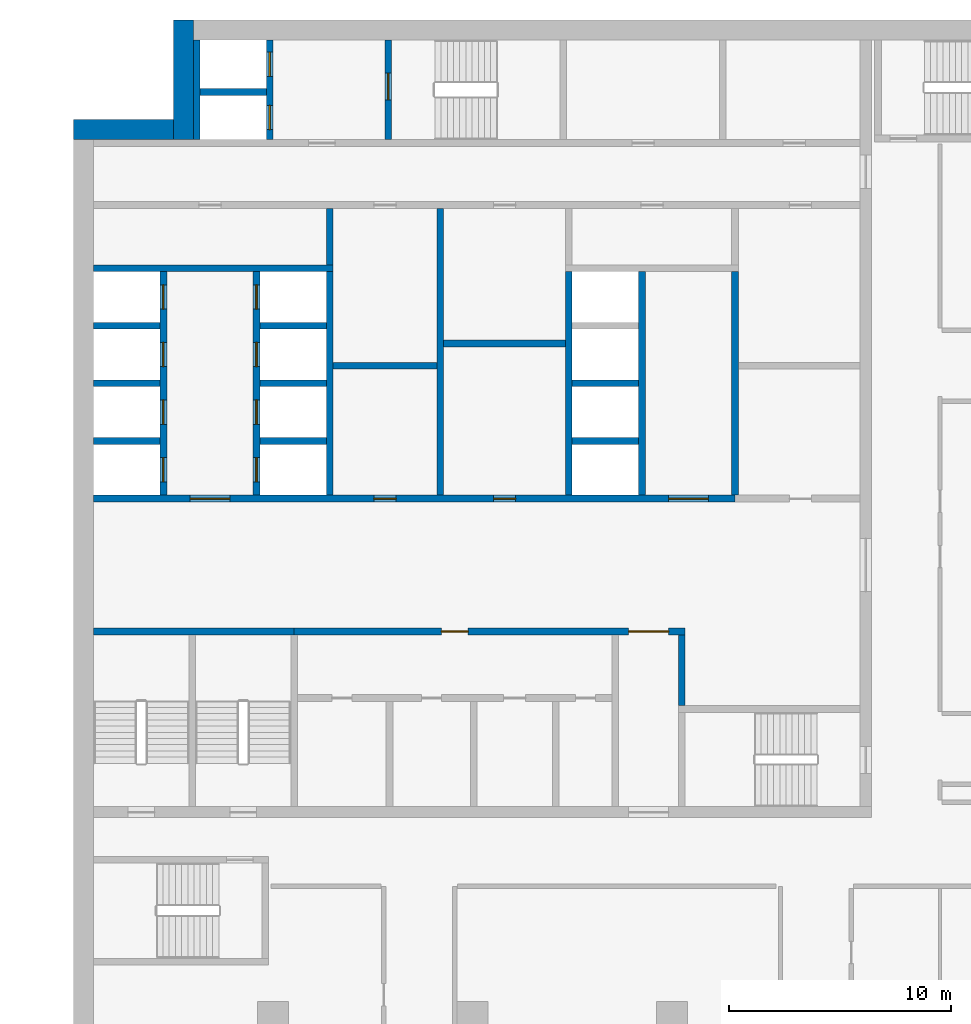
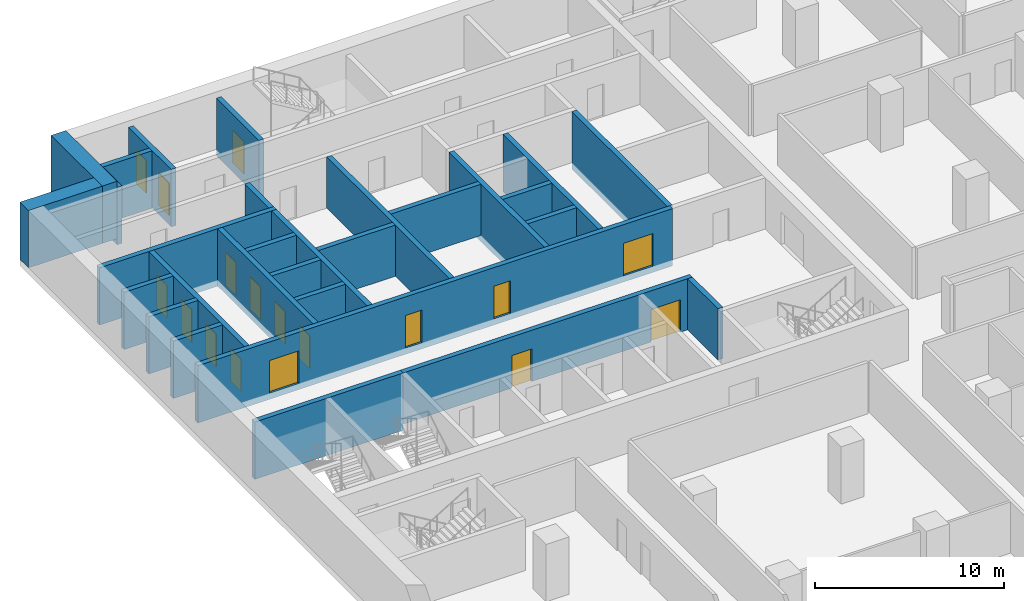
# One storey, part 14 of 28: 29 walls, 17 doors, 17 openings.
"""IFC4 building model written with IfcOpenShell, lengths in metres."""

from ifc_helpers import new_model, si_unit, direction, frame, frame_2d, origin, place, context, subcontext, project, spatial, rectangle, extrude, material, layer, layer_set, type_object, element, fill, save


model = new_model("IFC4")

# Units and contexts
model_context = context("Model", 3, precision=1e-05, world=origin(), true_north=direction((0.0, 1.0)))
body_context = subcontext(model_context, "Body", "Model", "MODEL_VIEW")
ifc_project = project(units=[si_unit("LENGTHUNIT", "METRE"), si_unit("AREAUNIT", "SQUARE_METRE"), si_unit("VOLUMEUNIT", "CUBIC_METRE"), si_unit("PLANEANGLEUNIT", "RADIAN"), si_unit("MASSUNIT", "GRAM", prefix="KILO")], contexts=[model_context])

# Site, building, storey
site_placement = place(None, origin())
site = spatial("IfcSite", under=ifc_project, at=site_placement, CompositionType="ELEMENT")
building_placement = place(site_placement, origin())
building = spatial("IfcBuilding", under=site, at=building_placement, Name="Hunhe Ridgeline Campus", CompositionType="ELEMENT")
storey_placement = place(building_placement, frame((0.0, 0.0, 39.5)))
storey = spatial("IfcBuildingStorey", under=building, at=storey_placement, Name="L08", CompositionType="ELEMENT", Elevation=39.5)

# Wall, openings, doors
ifc_material_1 = material(Name="Masonry concrete blockwork", Category="masonry")
ifc_layer_1 = layer(ifc_material_1, 0.300048828125)
ifc_layer_set_1 = layer_set([ifc_layer_1], Name="Core room partition 300 concrete block")
wall_type_1 = type_object("IfcWallType", Name="Core room partition 300 concrete block", PredefinedType="PARTITIONING", material=ifc_layer_set_1)
wall_1_placement = place(storey_placement, frame((9.949951171875, 71.39990234375, 0.0), z_axis=(0.0, 0.0, 1.0), x_axis=(1.0, 0.0, 0.0)))
wall_1 = element("IfcWall", 1, at=wall_1_placement, inside=storey, type_object=wall_type_1, Name="L08 core partition 13", PredefinedType="PARTITIONING", context=body_context, shape_type="SweptSolid", body=[
    extrude(rectangle(XDim=17.650146484375, YDim=0.300048828125, at=frame_2d((8.8251953125, 0.0))), origin(), (0.0, 0.0, 1.0), 3.300048828125),
])
opening_1_placement = place(wall_1_placement, frame((15.10009765625, 0.0, 0.0)))
opening_1 = element("IfcOpeningElement", 2, at=opening_1_placement, cuts=wall_1, Name="Opening CD7", PredefinedType="OPENING", context=body_context, shape_type="SweptSolid", body=[
    extrude(rectangle(XDim=1.800048828125, YDim=2.10009765625, at=frame_2d((0.89990234375, 1.050048828125))), frame((0.0, 0.14990234375, 0.0), z_axis=(0.0, -1.0, 0.0), x_axis=(1.0, 0.0, 0.0)), (0.0, 0.0, 1.0), 0.300048828125),
])
opening_2_placement = place(wall_1_placement, frame((6.64990234375, 0.0, 0.0)))
opening_2 = element("IfcOpeningElement", 3, at=opening_2_placement, cuts=wall_1, Name="Opening CD37", PredefinedType="OPENING", context=body_context, shape_type="SweptSolid", body=[
    extrude(rectangle(XDim=1.199951171875, YDim=2.10009765625, at=frame_2d((0.60009765625, 1.050048828125))), frame((0.0, 0.14990234375, 0.0), z_axis=(0.0, -1.0, 0.0), x_axis=(1.0, 0.0, 0.0)), (0.0, 0.0, 1.0), 0.300048828125),
])
ifc_material_2 = material(Name="Anodised aluminium and glass", Category="aluminium")
door_type_1 = type_object("IfcDoorType", Name="Glazed double door 1800x2100", OperationType="DOUBLE_DOOR_SINGLE_SWING", PredefinedType="DOOR", material=ifc_material_2)
door_1_placement = place(opening_1_placement, origin())
door_1 = element("IfcDoor", 4, at=door_1_placement, inside=storey, type_object=door_type_1, Name="L08 door VEST-HALL", OperationType="DOUBLE_DOOR_SINGLE_SWING", OverallHeight=2.10009765625, OverallWidth=1.800048828125, PredefinedType="DOOR", context=body_context, shape_type="SweptSolid", body=[
    extrude(rectangle(XDim=1.800048828125, YDim=2.10009765625, at=frame_2d((0.89990234375, 1.050048828125))), frame((0.0, 0.02490234375, 0.0), z_axis=(0.0, -1.0, 0.0), x_axis=(1.0, 0.0, 0.0)), (0.0, 0.0, 1.0), 0.050048828125),
])
fill(opening_1, door_1)
ifc_material_3 = material(Name="Solid core timber door leaf", Category="wood")
door_type_2 = type_object("IfcDoorType", Name="Timber door 1200x2100", OperationType="SINGLE_SWING_LEFT", PredefinedType="DOOR", material=ifc_material_3)
door_2_placement = place(opening_2_placement, origin())
door_2 = element("IfcDoor", 5, at=door_2_placement, inside=storey, type_object=door_type_2, Name="L08 door WCL1-HALL", OperationType="SINGLE_SWING_LEFT", OverallHeight=2.10009765625, OverallWidth=1.199951171875, PredefinedType="DOOR", context=body_context, shape_type="SweptSolid", body=[
    extrude(rectangle(XDim=1.199951171875, YDim=2.10009765625, at=frame_2d((0.60009765625, 1.050048828125))), frame((0.0, 0.02490234375, 0.0), z_axis=(0.0, -1.0, 0.0), x_axis=(1.0, 0.0, 0.0)), (0.0, 0.0, 1.0), 0.050048828125),
])
fill(opening_2, door_2)

# Walls
wall_2_placement = place(storey_placement, frame((11.699951171875, 83.39990234375, 0.0), z_axis=(0.0, 0.0, 1.0), x_axis=(1.0, 0.0, 0.0)))
element("IfcWall", 6, at=wall_2_placement, inside=storey, type_object=wall_type_1, Name="L08 core partition 22", PredefinedType="PARTITIONING", context=body_context, shape_type="SweptSolid", body=[
    extrude(rectangle(XDim=4.699951171875, YDim=0.300048828125, at=frame_2d((2.35009765625, 0.0))), origin(), (0.0, 0.0, 1.0), 3.300048828125),
])
wall_3_placement = place(storey_placement, frame((16.699951171875, 84.39990234375, 0.0), z_axis=(0.0, 0.0, 1.0), x_axis=(1.0, 0.0, 0.0)))
element("IfcWall", 7, at=wall_3_placement, inside=storey, type_object=wall_type_1, Name="L08 core partition 24", PredefinedType="PARTITIONING", context=body_context, shape_type="SweptSolid", body=[
    extrude(rectangle(XDim=5.5, YDim=0.300048828125, at=frame_2d((2.75, 0.0))), origin(), (0.0, 0.0, 1.0), 3.300048828125),
])
wall_4_placement = place(storey_placement, frame((11.550048828125, 87.949951171875, 0.0), z_axis=(0.0, 0.0, 1.0), x_axis=(0.0, 1.0, 0.0)))
element("IfcWall", 8, at=wall_4_placement, inside=storey, type_object=wall_type_1, Name="L08 core partition 46", PredefinedType="PARTITIONING", context=body_context, shape_type="SweptSolid", body=[
    extrude(rectangle(XDim=2.550048828125, YDim=0.300048828125, at=frame_2d((1.27490234375, 0.0))), origin(), (0.0, 0.0, 1.0), 3.300048828125),
])
wall_5_placement = place(storey_placement, frame((16.550048828125, 77.550048828125, 0.0), z_axis=(0.0, 0.0, 1.0), x_axis=(0.0, 1.0, 0.0)))
element("IfcWall", 9, at=wall_5_placement, inside=storey, type_object=wall_type_1, Name="L08 core partition 49", PredefinedType="PARTITIONING", context=body_context, shape_type="SweptSolid", body=[
    extrude(rectangle(XDim=12.949951171875, YDim=0.300048828125, at=frame_2d((6.47509765625, 0.0))), origin(), (0.0, 0.0, 1.0), 3.300048828125),
])
wall_6_placement = place(storey_placement, frame((27.449951171875, 68.050048828125, 0.0), z_axis=(0.0, 0.0, 1.0), x_axis=(0.0, 1.0, 0.0)))
element("IfcWall", 10, at=wall_6_placement, inside=storey, type_object=wall_type_1, Name="L08 core partition 60", PredefinedType="PARTITIONING", context=body_context, shape_type="SweptSolid", body=[
    extrude(rectangle(XDim=3.199951171875, YDim=0.300048828125, at=frame_2d((1.60009765625, 0.0))), origin(), (0.0, 0.0, 1.0), 3.300048828125),
])
ifc_material_4 = material(Name="Concrete C80", Category="concrete")
ifc_layer_2 = layer(ifc_material_4, 0.300048828125)
ifc_layer_set_2 = layer_set([ifc_layer_2], Name="Lobby wall 300 reinforced concrete C80")
wall_type_2 = type_object("IfcWallType", Name="Lobby wall 300 reinforced concrete C80", PredefinedType="SOLIDWALL", material=ifc_layer_set_2)
wall_7_placement = place(storey_placement, frame((29.85009765625, 77.550048828125, -0.39990234375), z_axis=(0.0, 0.0, 1.0), x_axis=(0.0, 1.0, 0.0)))
element("IfcWall", 11, at=wall_7_placement, inside=storey, type_object=wall_type_2, Name="L08 core wall 62", PredefinedType="SOLIDWALL", context=body_context, shape_type="SweptSolid", body=[
    extrude(rectangle(XDim=10.099853515625, YDim=0.300048828125, at=frame_2d((5.0498046875, 0.0))), origin(), (0.0, 0.0, 1.0), 3.699951171875),
])

# Wall, openings, doors
ifc_layer_3 = layer(ifc_material_4, 0.300048828125)
ifc_layer_set_3 = layer_set([ifc_layer_3], Name="Shaft wall 300 reinforced concrete C80")
wall_type_3 = type_object("IfcWallType", Name="Shaft wall 300 reinforced concrete C80", PredefinedType="SOLIDWALL", material=ifc_layer_set_3)
wall_8_placement = place(storey_placement, frame((0.89990234375, 77.39990234375, -0.39990234375), z_axis=(0.0, 0.0, 1.0), x_axis=(1.0, 0.0, 0.0)))
wall_8 = element("IfcWall", 12, at=wall_8_placement, inside=storey, type_object=wall_type_3, Name="L08 core wall 14", PredefinedType="SOLIDWALL", context=body_context, shape_type="SweptSolid", body=[
    extrude(rectangle(XDim=28.9501953125, YDim=0.300048828125, at=frame_2d((14.47509765625, 0.0))), origin(), (0.0, 0.0, 1.0), 3.699951171875),
])
opening_3_placement = place(wall_8_placement, frame((4.35009765625, 0.0, 0.39990234375)))
opening_3 = element("IfcOpeningElement", 13, at=opening_3_placement, cuts=wall_8, Name="Opening CD1", PredefinedType="OPENING", context=body_context, shape_type="SweptSolid", body=[
    extrude(rectangle(XDim=1.800048828125, YDim=2.10009765625, at=frame_2d((0.89990234375, 1.050048828125))), frame((0.0, 0.14990234375, 0.0), z_axis=(0.0, -1.0, 0.0), x_axis=(1.0, 0.0, 0.0)), (0.0, 0.0, 1.0), 0.300048828125),
])
opening_4_placement = place(wall_8_placement, frame((25.949951171875, 0.0, 0.39990234375)))
opening_4 = element("IfcOpeningElement", 14, at=opening_4_placement, cuts=wall_8, Name="Opening CD2", PredefinedType="OPENING", context=body_context, shape_type="SweptSolid", body=[
    extrude(rectangle(XDim=1.800048828125, YDim=2.10009765625, at=frame_2d((0.89990234375, 1.050048828125))), frame((0.0, 0.14990234375, 0.0), z_axis=(0.0, -1.0, 0.0), x_axis=(1.0, 0.0, 0.0)), (0.0, 0.0, 1.0), 0.300048828125),
])
opening_5_placement = place(wall_8_placement, frame((12.64990234375, 0.0, 0.39990234375)))
opening_5 = element("IfcOpeningElement", 15, at=opening_5_placement, cuts=wall_8, Name="Opening CD28", PredefinedType="OPENING", context=body_context, shape_type="SweptSolid", body=[
    extrude(rectangle(XDim=1.0, YDim=2.10009765625, at=frame_2d((0.5, 1.050048828125))), frame((0.0, 0.14990234375, 0.0), z_axis=(0.0, -1.0, 0.0), x_axis=(1.0, 0.0, 0.0)), (0.0, 0.0, 1.0), 0.300048828125),
])
opening_6_placement = place(wall_8_placement, frame((18.050048828125, 0.0, 0.39990234375)))
opening_6 = element("IfcOpeningElement", 16, at=opening_6_placement, cuts=wall_8, Name="Opening CD30", PredefinedType="OPENING", context=body_context, shape_type="SweptSolid", body=[
    extrude(rectangle(XDim=1.0, YDim=2.10009765625, at=frame_2d((0.5, 1.050048828125))), frame((0.0, 0.14990234375, 0.0), z_axis=(0.0, -1.0, 0.0), x_axis=(1.0, 0.0, 0.0)), (0.0, 0.0, 1.0), 0.300048828125),
])
ifc_material_5 = material(Name="Hollow metal fire door leaf")
door_type_3 = type_object("IfcDoorType", Name="Lobby door 1800x2100 FD60", OperationType="SINGLE_SWING_LEFT", PredefinedType="DOOR", material=ifc_material_5)
door_3_placement = place(opening_3_placement, frame((1.800048828125, 0.0, 0.0), z_axis=(0.0, 0.0, 1.0), x_axis=(-1.0, 0.0, 0.0)))
door_3 = element("IfcDoor", 17, at=door_3_placement, inside=storey, type_object=door_type_3, Name="L08 door LOB-LR", OperationType="SINGLE_SWING_RIGHT", OverallHeight=2.10009765625, OverallWidth=1.800048828125, PredefinedType="DOOR", context=body_context, shape_type="SweptSolid", body=[
    extrude(rectangle(XDim=1.800048828125, YDim=2.10009765625, at=frame_2d((0.89990234375, 1.050048828125))), frame((0.0, 0.02490234375, 0.0), z_axis=(0.0, -1.0, 0.0), x_axis=(1.0, 0.0, 0.0)), (0.0, 0.0, 1.0), 0.050048828125),
])
fill(opening_3, door_3)
door_4_placement = place(opening_4_placement, frame((1.800048828125, 0.0, 0.0), z_axis=(0.0, 0.0, 1.0), x_axis=(-1.0, 0.0, 0.0)))
door_4 = element("IfcDoor", 18, at=door_4_placement, inside=storey, type_object=door_type_3, Name="L08 door LOB-SH", OperationType="SINGLE_SWING_LEFT", OverallHeight=2.10009765625, OverallWidth=1.800048828125, PredefinedType="DOOR", context=body_context, shape_type="SweptSolid", body=[
    extrude(rectangle(XDim=1.800048828125, YDim=2.10009765625, at=frame_2d((0.89990234375, 1.050048828125))), frame((0.0, 0.02490234375, 0.0), z_axis=(0.0, -1.0, 0.0), x_axis=(1.0, 0.0, 0.0)), (0.0, 0.0, 1.0), 0.050048828125),
])
fill(opening_4, door_4)
door_type_4 = type_object("IfcDoorType", Name="Timber door 1000x2100", OperationType="SINGLE_SWING_LEFT", PredefinedType="DOOR", material=ifc_material_3)
door_5_placement = place(opening_5_placement, origin())
door_5 = element("IfcDoor", 19, at=door_5_placement, inside=storey, type_object=door_type_4, Name="L08 door VD-HR0", OperationType="SINGLE_SWING_LEFT", OverallHeight=2.10009765625, OverallWidth=1.0, PredefinedType="DOOR", context=body_context, shape_type="SweptSolid", body=[
    extrude(rectangle(XDim=1.0, YDim=2.10009765625, at=frame_2d((0.5, 1.050048828125))), frame((0.0, 0.02490234375, 0.0), z_axis=(0.0, -1.0, 0.0), x_axis=(1.0, 0.0, 0.0)), (0.0, 0.0, 1.0), 0.050048828125),
])
fill(opening_5, door_5)
door_6_placement = place(opening_6_placement, origin())
door_6 = element("IfcDoor", 20, at=door_6_placement, inside=storey, type_object=door_type_4, Name="L08 door VD-HR2", OperationType="SINGLE_SWING_LEFT", OverallHeight=2.10009765625, OverallWidth=1.0, PredefinedType="DOOR", context=body_context, shape_type="SweptSolid", body=[
    extrude(rectangle(XDim=1.0, YDim=2.10009765625, at=frame_2d((0.5, 1.050048828125))), frame((0.0, 0.02490234375, 0.0), z_axis=(0.0, -1.0, 0.0), x_axis=(1.0, 0.0, 0.0)), (0.0, 0.0, 1.0), 0.050048828125),
])
fill(opening_6, door_6)

# Walls
for number, where, z_axis, x_axis, name in (
    (21, (0.89990234375, 80.0, -0.39990234375), (0.0, 0.0, 1.0), (1.0, 0.0, 0.0), "L08 core wall 16"),
    (22, (8.39990234375, 80.0, -0.39990234375), (0.0, 0.0, 1.0), (1.0, 0.0, 0.0), "L08 core wall 17"),
    (23, (22.5, 80.0, -0.39990234375), (0.0, 0.0, 1.0), (1.0, 0.0, 0.0), "L08 core wall 18"),
    (24, (0.89990234375, 82.60009765625, -0.39990234375), (0.0, 0.0, 1.0), (1.0, 0.0, 0.0), "L08 core wall 19"),
    (25, (8.39990234375, 82.60009765625, -0.39990234375), (0.0, 0.0, 1.0), (1.0, 0.0, 0.0), "L08 core wall 20"),
    (26, (22.5, 82.60009765625, -0.39990234375), (0.0, 0.0, 1.0), (1.0, 0.0, 0.0), "L08 core wall 21"),
    (27, (0.89990234375, 85.199951171875, -0.39990234375), (0.0, 0.0, 1.0), (1.0, 0.0, 0.0), "L08 core wall 25"),
    (28, (8.39990234375, 85.199951171875, -0.39990234375), (0.0, 0.0, 1.0), (1.0, 0.0, 0.0), "L08 core wall 26"),
):
    element("IfcWall", number, at=place(storey_placement, frame(where, z_axis=z_axis, x_axis=x_axis)), inside=storey, type_object=wall_type_3, Name=name, PredefinedType="SOLIDWALL", context=body_context, shape_type="SweptSolid", body=[
        extrude(rectangle(XDim=3.0, YDim=0.300048828125, at=frame_2d((1.5, 0.0))), origin(), (0.0, 0.0, 1.0), 3.699951171875),
    ])
wall_9_placement = place(storey_placement, frame((0.89990234375, 87.800048828125, -0.39990234375), z_axis=(0.0, 0.0, 1.0), x_axis=(1.0, 0.0, 0.0)))
element("IfcWall", 29, at=wall_9_placement, inside=storey, type_object=wall_type_3, Name="L08 core wall 28", PredefinedType="SOLIDWALL", context=body_context, shape_type="SweptSolid", body=[
    extrude(rectangle(XDim=10.800048828125, YDim=0.300048828125, at=frame_2d((5.39990234375, 0.0))), origin(), (0.0, 0.0, 1.0), 3.699951171875),
])
wall_10_placement = place(storey_placement, frame((5.699951171875, 95.75, -0.39990234375), z_axis=(0.0, 0.0, 1.0), x_axis=(1.0, 0.0, 0.0)))
element("IfcWall", 30, at=wall_10_placement, inside=storey, type_object=wall_type_3, Name="L08 core wall 36", PredefinedType="SOLIDWALL", context=body_context, shape_type="SweptSolid", body=[
    extrude(rectangle(XDim=3.0, YDim=0.300048828125, at=frame_2d((1.5, 0.0))), origin(), (0.0, 0.0, 1.0), 3.699951171875),
])

# Wall, openings, doors
wall_11_placement = place(storey_placement, frame((4.050048828125, 77.550048828125, -0.39990234375), z_axis=(0.0, 0.0, 1.0), x_axis=(0.0, 1.0, 0.0)))
wall_11 = element("IfcWall", 31, at=wall_11_placement, inside=storey, type_object=wall_type_3, Name="L08 core wall 37", PredefinedType="SOLIDWALL", context=body_context, shape_type="SweptSolid", body=[
    extrude(rectangle(XDim=10.099853515625, YDim=0.300048828125, at=frame_2d((5.0498046875, 0.0))), origin(), (0.0, 0.0, 1.0), 3.699951171875),
])
opening_7_placement = place(wall_11_placement, frame((0.60009765625, 0.0, 0.39990234375)))
opening_7 = element("IfcOpeningElement", 32, at=opening_7_placement, cuts=wall_11, Name="Opening LD-LR1", PredefinedType="OPENING", context=body_context, shape_type="SweptSolid", body=[
    extrude(rectangle(XDim=1.10009765625, YDim=2.10009765625, at=frame_2d((0.550048828125, 1.050048828125))), frame((0.0, 0.14990234375, 0.0), z_axis=(0.0, -1.0, 0.0), x_axis=(1.0, 0.0, 0.0)), (0.0, 0.0, 1.0), 0.300048828125),
])
opening_8_placement = place(wall_11_placement, frame((3.199951171875, 0.0, 0.39990234375)))
opening_8 = element("IfcOpeningElement", 33, at=opening_8_placement, cuts=wall_11, Name="Opening LD-LR2", PredefinedType="OPENING", context=body_context, shape_type="SweptSolid", body=[
    extrude(rectangle(XDim=1.10009765625, YDim=2.10009765625, at=frame_2d((0.550048828125, 1.050048828125))), frame((0.0, 0.14990234375, 0.0), z_axis=(0.0, -1.0, 0.0), x_axis=(1.0, 0.0, 0.0)), (0.0, 0.0, 1.0), 0.300048828125),
])
opening_9_placement = place(wall_11_placement, frame((5.800048828125, 0.0, 0.39990234375)))
opening_9 = element("IfcOpeningElement", 34, at=opening_9_placement, cuts=wall_11, Name="Opening LD-LR3", PredefinedType="OPENING", context=body_context, shape_type="SweptSolid", body=[
    extrude(rectangle(XDim=1.10009765625, YDim=2.10009765625, at=frame_2d((0.550048828125, 1.050048828125))), frame((0.0, 0.14990234375, 0.0), z_axis=(0.0, -1.0, 0.0), x_axis=(1.0, 0.0, 0.0)), (0.0, 0.0, 1.0), 0.300048828125),
])
opening_10_placement = place(wall_11_placement, frame((8.39990234375, 0.0, 0.39990234375)))
opening_10 = element("IfcOpeningElement", 35, at=opening_10_placement, cuts=wall_11, Name="Opening LD-LR4", PredefinedType="OPENING", context=body_context, shape_type="SweptSolid", body=[
    extrude(rectangle(XDim=1.10009765625, YDim=2.10009765625, at=frame_2d((0.550048828125, 1.050048828125))), frame((0.0, 0.14990234375, 0.0), z_axis=(0.0, -1.0, 0.0), x_axis=(1.0, 0.0, 0.0)), (0.0, 0.0, 1.0), 0.300048828125),
])
ifc_material_6 = material(Name="Stainless steel sliding leaves", Category="steel")
door_type_5 = type_object("IfcDoorType", Name="Landing door 1100x2100 FD120", OperationType="SLIDING_TO_LEFT", PredefinedType="DOOR", material=ifc_material_6)
door_7_placement = place(opening_7_placement, origin())
door_7 = element("IfcDoor", 36, at=door_7_placement, inside=storey, type_object=door_type_5, Name="L08 landing door LR1", OperationType="SLIDING_TO_RIGHT", OverallHeight=2.10009765625, OverallWidth=1.10009765625, PredefinedType="DOOR", context=body_context, shape_type="SweptSolid", body=[
    extrude(rectangle(XDim=1.10009765625, YDim=2.10009765625, at=frame_2d((0.550048828125, 1.050048828125))), frame((0.0, 0.02490234375, 0.0), z_axis=(0.0, -1.0, 0.0), x_axis=(1.0, 0.0, 0.0)), (0.0, 0.0, 1.0), 0.050048828125),
])
fill(opening_7, door_7)
door_8_placement = place(opening_8_placement, origin())
door_8 = element("IfcDoor", 37, at=door_8_placement, inside=storey, type_object=door_type_5, Name="L08 landing door LR2", OperationType="SLIDING_TO_LEFT", OverallHeight=2.10009765625, OverallWidth=1.10009765625, PredefinedType="DOOR", context=body_context, shape_type="SweptSolid", body=[
    extrude(rectangle(XDim=1.10009765625, YDim=2.10009765625, at=frame_2d((0.550048828125, 1.050048828125))), frame((0.0, 0.02490234375, 0.0), z_axis=(0.0, -1.0, 0.0), x_axis=(1.0, 0.0, 0.0)), (0.0, 0.0, 1.0), 0.050048828125),
])
fill(opening_8, door_8)
door_9_placement = place(opening_9_placement, origin())
door_9 = element("IfcDoor", 38, at=door_9_placement, inside=storey, type_object=door_type_5, Name="L08 landing door LR3", OperationType="SLIDING_TO_RIGHT", OverallHeight=2.10009765625, OverallWidth=1.10009765625, PredefinedType="DOOR", context=body_context, shape_type="SweptSolid", body=[
    extrude(rectangle(XDim=1.10009765625, YDim=2.10009765625, at=frame_2d((0.550048828125, 1.050048828125))), frame((0.0, 0.02490234375, 0.0), z_axis=(0.0, -1.0, 0.0), x_axis=(1.0, 0.0, 0.0)), (0.0, 0.0, 1.0), 0.050048828125),
])
fill(opening_9, door_9)
door_10_placement = place(opening_10_placement, origin())
door_10 = element("IfcDoor", 39, at=door_10_placement, inside=storey, type_object=door_type_5, Name="L08 landing door LR4", OperationType="SLIDING_TO_LEFT", OverallHeight=2.10009765625, OverallWidth=1.10009765625, PredefinedType="DOOR", context=body_context, shape_type="SweptSolid", body=[
    extrude(rectangle(XDim=1.10009765625, YDim=2.10009765625, at=frame_2d((0.550048828125, 1.050048828125))), frame((0.0, 0.02490234375, 0.0), z_axis=(0.0, -1.0, 0.0), x_axis=(1.0, 0.0, 0.0)), (0.0, 0.0, 1.0), 0.050048828125),
])
fill(opening_10, door_10)

# Wall
wall_12_placement = place(storey_placement, frame((5.550048828125, 93.60009765625, -0.39990234375), z_axis=(0.0, 0.0, 1.0), x_axis=(0.0, 1.0, 0.0)))
element("IfcWall", 40, at=wall_12_placement, inside=storey, type_object=wall_type_3, Name="L08 core wall 39", PredefinedType="SOLIDWALL", context=body_context, shape_type="SweptSolid", body=[
    extrude(rectangle(XDim=4.5, YDim=0.300048828125, at=frame_2d((2.25, 0.0))), origin(), (0.0, 0.0, 1.0), 3.699951171875),
])

# Wall, openings, doors
wall_13_placement = place(storey_placement, frame((8.25, 77.550048828125, -0.39990234375), z_axis=(0.0, 0.0, 1.0), x_axis=(0.0, 1.0, 0.0)))
wall_13 = element("IfcWall", 41, at=wall_13_placement, inside=storey, type_object=wall_type_3, Name="L08 core wall 40", PredefinedType="SOLIDWALL", context=body_context, shape_type="SweptSolid", body=[
    extrude(rectangle(XDim=10.099853515625, YDim=0.300048828125, at=frame_2d((5.0498046875, 0.0))), origin(), (0.0, 0.0, 1.0), 3.699951171875),
])
opening_11_placement = place(wall_13_placement, frame((0.60009765625, 0.0, 0.39990234375)))
opening_11 = element("IfcOpeningElement", 42, at=opening_11_placement, cuts=wall_13, Name="Opening LD-LR5", PredefinedType="OPENING", context=body_context, shape_type="SweptSolid", body=[
    extrude(rectangle(XDim=1.10009765625, YDim=2.10009765625, at=frame_2d((0.550048828125, 1.050048828125))), frame((0.0, 0.14990234375, 0.0), z_axis=(0.0, -1.0, 0.0), x_axis=(1.0, 0.0, 0.0)), (0.0, 0.0, 1.0), 0.300048828125),
])
opening_12_placement = place(wall_13_placement, frame((3.199951171875, 0.0, 0.39990234375)))
opening_12 = element("IfcOpeningElement", 43, at=opening_12_placement, cuts=wall_13, Name="Opening LD-LR6", PredefinedType="OPENING", context=body_context, shape_type="SweptSolid", body=[
    extrude(rectangle(XDim=1.10009765625, YDim=2.10009765625, at=frame_2d((0.550048828125, 1.050048828125))), frame((0.0, 0.14990234375, 0.0), z_axis=(0.0, -1.0, 0.0), x_axis=(1.0, 0.0, 0.0)), (0.0, 0.0, 1.0), 0.300048828125),
])
opening_13_placement = place(wall_13_placement, frame((5.800048828125, 0.0, 0.39990234375)))
opening_13 = element("IfcOpeningElement", 44, at=opening_13_placement, cuts=wall_13, Name="Opening LD-LR7", PredefinedType="OPENING", context=body_context, shape_type="SweptSolid", body=[
    extrude(rectangle(XDim=1.10009765625, YDim=2.10009765625, at=frame_2d((0.550048828125, 1.050048828125))), frame((0.0, 0.14990234375, 0.0), z_axis=(0.0, -1.0, 0.0), x_axis=(1.0, 0.0, 0.0)), (0.0, 0.0, 1.0), 0.300048828125),
])
opening_14_placement = place(wall_13_placement, frame((8.39990234375, 0.0, 0.39990234375)))
opening_14 = element("IfcOpeningElement", 45, at=opening_14_placement, cuts=wall_13, Name="Opening LD-LR8", PredefinedType="OPENING", context=body_context, shape_type="SweptSolid", body=[
    extrude(rectangle(XDim=1.10009765625, YDim=2.10009765625, at=frame_2d((0.550048828125, 1.050048828125))), frame((0.0, 0.14990234375, 0.0), z_axis=(0.0, -1.0, 0.0), x_axis=(1.0, 0.0, 0.0)), (0.0, 0.0, 1.0), 0.300048828125),
])
door_11_placement = place(opening_11_placement, origin())
door_11 = element("IfcDoor", 46, at=door_11_placement, inside=storey, type_object=door_type_5, Name="L08 landing door LR5", OperationType="SLIDING_TO_RIGHT", OverallHeight=2.10009765625, OverallWidth=1.10009765625, PredefinedType="DOOR", context=body_context, shape_type="SweptSolid", body=[
    extrude(rectangle(XDim=1.10009765625, YDim=2.10009765625, at=frame_2d((0.550048828125, 1.050048828125))), frame((0.0, 0.02490234375, 0.0), z_axis=(0.0, -1.0, 0.0), x_axis=(1.0, 0.0, 0.0)), (0.0, 0.0, 1.0), 0.050048828125),
])
fill(opening_11, door_11)
door_12_placement = place(opening_12_placement, origin())
door_12 = element("IfcDoor", 47, at=door_12_placement, inside=storey, type_object=door_type_5, Name="L08 landing door LR6", OperationType="SLIDING_TO_LEFT", OverallHeight=2.10009765625, OverallWidth=1.10009765625, PredefinedType="DOOR", context=body_context, shape_type="SweptSolid", body=[
    extrude(rectangle(XDim=1.10009765625, YDim=2.10009765625, at=frame_2d((0.550048828125, 1.050048828125))), frame((0.0, 0.02490234375, 0.0), z_axis=(0.0, -1.0, 0.0), x_axis=(1.0, 0.0, 0.0)), (0.0, 0.0, 1.0), 0.050048828125),
])
fill(opening_12, door_12)
door_13_placement = place(opening_13_placement, origin())
door_13 = element("IfcDoor", 48, at=door_13_placement, inside=storey, type_object=door_type_5, Name="L08 landing door LR7", OperationType="SLIDING_TO_RIGHT", OverallHeight=2.10009765625, OverallWidth=1.10009765625, PredefinedType="DOOR", context=body_context, shape_type="SweptSolid", body=[
    extrude(rectangle(XDim=1.10009765625, YDim=2.10009765625, at=frame_2d((0.550048828125, 1.050048828125))), frame((0.0, 0.02490234375, 0.0), z_axis=(0.0, -1.0, 0.0), x_axis=(1.0, 0.0, 0.0)), (0.0, 0.0, 1.0), 0.050048828125),
])
fill(opening_13, door_13)
door_14_placement = place(opening_14_placement, origin())
door_14 = element("IfcDoor", 49, at=door_14_placement, inside=storey, type_object=door_type_5, Name="L08 landing door LR8", OperationType="SLIDING_TO_LEFT", OverallHeight=2.10009765625, OverallWidth=1.10009765625, PredefinedType="DOOR", context=body_context, shape_type="SweptSolid", body=[
    extrude(rectangle(XDim=1.10009765625, YDim=2.10009765625, at=frame_2d((0.550048828125, 1.050048828125))), frame((0.0, 0.02490234375, 0.0), z_axis=(0.0, -1.0, 0.0), x_axis=(1.0, 0.0, 0.0)), (0.0, 0.0, 1.0), 0.050048828125),
])
fill(opening_14, door_14)

wall_14_placement = place(storey_placement, frame((8.85009765625, 93.60009765625, -0.39990234375), z_axis=(0.0, 0.0, 1.0), x_axis=(0.0, 1.0, 0.0)))
wall_14 = element("IfcWall", 50, at=wall_14_placement, inside=storey, type_object=wall_type_3, Name="L08 core wall 43", PredefinedType="SOLIDWALL", context=body_context, shape_type="SweptSolid", body=[
    extrude(rectangle(XDim=4.5, YDim=0.300048828125, at=frame_2d((2.25, 0.0))), origin(), (0.0, 0.0, 1.0), 3.699951171875),
])
opening_15_placement = place(wall_14_placement, frame((0.449951171875, 0.0, 0.39990234375)))
opening_15 = element("IfcOpeningElement", 51, at=opening_15_placement, cuts=wall_14, Name="Opening LD-FF1", PredefinedType="OPENING", context=body_context, shape_type="SweptSolid", body=[
    extrude(rectangle(XDim=1.10009765625, YDim=2.10009765625, at=frame_2d((0.550048828125, 1.050048828125))), frame((0.0, 0.14990234375, 0.0), z_axis=(0.0, -1.0, 0.0), x_axis=(1.0, 0.0, 0.0)), (0.0, 0.0, 1.0), 0.300048828125),
])
opening_16_placement = place(wall_14_placement, frame((2.85009765625, 0.0, 0.39990234375)))
opening_16 = element("IfcOpeningElement", 52, at=opening_16_placement, cuts=wall_14, Name="Opening LD-FF2", PredefinedType="OPENING", context=body_context, shape_type="SweptSolid", body=[
    extrude(rectangle(XDim=1.10009765625, YDim=2.10009765625, at=frame_2d((0.550048828125, 1.050048828125))), frame((0.0, 0.14990234375, 0.0), z_axis=(0.0, -1.0, 0.0), x_axis=(1.0, 0.0, 0.0)), (0.0, 0.0, 1.0), 0.300048828125),
])
door_15_placement = place(opening_15_placement, origin())
door_15 = element("IfcDoor", 53, at=door_15_placement, inside=storey, type_object=door_type_5, Name="L08 landing door FF1", OperationType="SLIDING_TO_RIGHT", OverallHeight=2.10009765625, OverallWidth=1.10009765625, PredefinedType="DOOR", context=body_context, shape_type="SweptSolid", body=[
    extrude(rectangle(XDim=1.10009765625, YDim=2.10009765625, at=frame_2d((0.550048828125, 1.050048828125))), frame((0.0, 0.02490234375, 0.0), z_axis=(0.0, -1.0, 0.0), x_axis=(1.0, 0.0, 0.0)), (0.0, 0.0, 1.0), 0.050048828125),
])
fill(opening_15, door_15)
door_16_placement = place(opening_16_placement, origin())
door_16 = element("IfcDoor", 54, at=door_16_placement, inside=storey, type_object=door_type_5, Name="L08 landing door FF2", OperationType="SLIDING_TO_LEFT", OverallHeight=2.10009765625, OverallWidth=1.10009765625, PredefinedType="DOOR", context=body_context, shape_type="SweptSolid", body=[
    extrude(rectangle(XDim=1.10009765625, YDim=2.10009765625, at=frame_2d((0.550048828125, 1.050048828125))), frame((0.0, 0.02490234375, 0.0), z_axis=(0.0, -1.0, 0.0), x_axis=(1.0, 0.0, 0.0)), (0.0, 0.0, 1.0), 0.050048828125),
])
fill(opening_16, door_16)

# Walls
for number, where, z_axis, x_axis, name in (
    (55, (11.550048828125, 77.550048828125, -0.39990234375), (0.0, 0.0, 1.0), (0.0, 1.0, 0.0), "L08 core wall 45"),
    (56, (22.35009765625, 77.550048828125, -0.39990234375), (0.0, 0.0, 1.0), (0.0, 1.0, 0.0), "L08 core wall 54"),
    (57, (25.64990234375, 77.550048828125, -0.39990234375), (0.0, 0.0, 1.0), (0.0, 1.0, 0.0), "L08 core wall 58"),
):
    element("IfcWall", number, at=place(storey_placement, frame(where, z_axis=z_axis, x_axis=x_axis)), inside=storey, type_object=wall_type_3, Name=name, PredefinedType="SOLIDWALL", context=body_context, shape_type="SweptSolid", body=[
        extrude(rectangle(XDim=10.099853515625, YDim=0.300048828125, at=frame_2d((5.0498046875, 0.0))), origin(), (0.0, 0.0, 1.0), 3.699951171875),
    ])
ifc_layer_4 = layer(ifc_material_4, 0.89990234375)
ifc_layer_set_4 = layer_set([ifc_layer_4], Name="Spine wall 900 Concrete C80")
wall_type_4 = type_object("IfcWallType", Name="Spine wall 900 Concrete C80", PredefinedType="SHEAR", material=ifc_layer_set_4)
for number, where, z_axis, x_axis, name in (
    (58, (4.949951171875, 99.0, 0.0), (0.0, 0.0, 1.0), (0.0, -1.0, 0.0), "Spine wall SW1-5 L08"),
    (59, (5.400146484375, 94.050048828125, 0.0), (0.0, 0.0, 1.0), (-1.0, 0.0, 0.0), "Spine wall SW1-6 L08"),
):
    element("IfcWall", number, at=place(storey_placement, frame(where, z_axis=z_axis, x_axis=x_axis)), inside=storey, type_object=wall_type_4, Name=name, PredefinedType="SHEAR", context=body_context, shape_type="SweptSolid", body=[
        extrude(rectangle(XDim=5.400146484375, YDim=0.89990234375, at=frame_2d((2.7001953125, 0.0))), origin(), (0.0, 0.0, 1.0), 3.699951171875),
    ])
ifc_layer_5 = layer(ifc_material_4, 0.300048828125)
ifc_layer_set_5 = layer_set([ifc_layer_5], Name="Stair wall 300 reinforced concrete C80")
wall_type_5 = type_object("IfcWallType", Name="Stair wall 300 reinforced concrete C80", PredefinedType="SOLIDWALL", material=ifc_layer_set_5)
wall_15_placement = place(storey_placement, frame((0.89990234375, 71.39990234375, -0.39990234375), z_axis=(0.0, 0.0, 1.0), x_axis=(1.0, 0.0, 0.0)))
element("IfcWall", 60, at=wall_15_placement, inside=storey, type_object=wall_type_5, Name="L08 core wall 12", PredefinedType="SOLIDWALL", context=body_context, shape_type="SweptSolid", body=[
    extrude(rectangle(XDim=9.050048828125, YDim=0.300048828125, at=frame_2d((4.52490234375, 0.0))), origin(), (0.0, 0.0, 1.0), 3.699951171875),
])

# Wall, opening, door
wall_16_placement = place(storey_placement, frame((14.199951171875, 93.60009765625, -0.39990234375), z_axis=(0.0, 0.0, 1.0), x_axis=(0.0, 1.0, 0.0)))
wall_16 = element("IfcWall", 61, at=wall_16_placement, inside=storey, type_object=wall_type_5, Name="L08 core wall 47", PredefinedType="SOLIDWALL", context=body_context, shape_type="SweptSolid", body=[
    extrude(rectangle(XDim=4.5, YDim=0.300048828125, at=frame_2d((2.25, 0.0))), origin(), (0.0, 0.0, 1.0), 3.699951171875),
])
opening_17_placement = place(wall_16_placement, frame((1.800048828125, 0.0, 0.39990234375)))
opening_17 = element("IfcOpeningElement", 62, at=opening_17_placement, cuts=wall_16, Name="Opening CD16", PredefinedType="OPENING", context=body_context, shape_type="SweptSolid", body=[
    extrude(rectangle(XDim=1.199951171875, YDim=2.10009765625, at=frame_2d((0.60009765625, 1.050048828125))), frame((0.0, 0.14990234375, 0.0), z_axis=(0.0, -1.0, 0.0), x_axis=(1.0, 0.0, 0.0)), (0.0, 0.0, 1.0), 0.300048828125),
])
door_type_6 = type_object("IfcDoorType", Name="Stair door 1200x2100 FD60", OperationType="SINGLE_SWING_LEFT", PredefinedType="DOOR", material=ifc_material_5)
door_17_placement = place(opening_17_placement, origin())
door_17 = element("IfcDoor", 63, at=door_17_placement, inside=storey, type_object=door_type_6, Name="L08 door S1-FF", OperationType="SINGLE_SWING_LEFT", OverallHeight=2.10009765625, OverallWidth=1.199951171875, PredefinedType="DOOR", context=body_context, shape_type="SweptSolid", body=[
    extrude(rectangle(XDim=1.199951171875, YDim=2.10009765625, at=frame_2d((0.60009765625, 1.050048828125))), frame((0.0, 0.02490234375, 0.0), z_axis=(0.0, -1.0, 0.0), x_axis=(1.0, 0.0, 0.0)), (0.0, 0.0, 1.0), 0.050048828125),
])
fill(opening_17, door_17)

save(model, "model.ifc")
